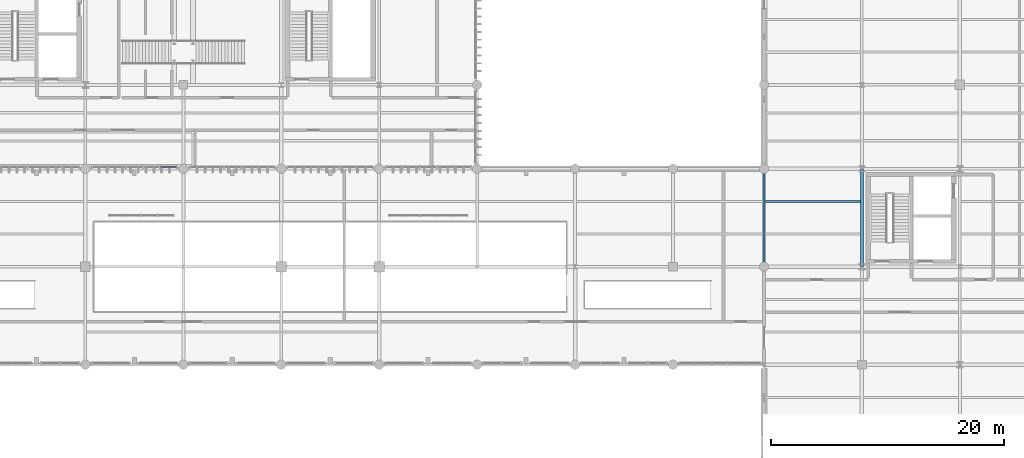
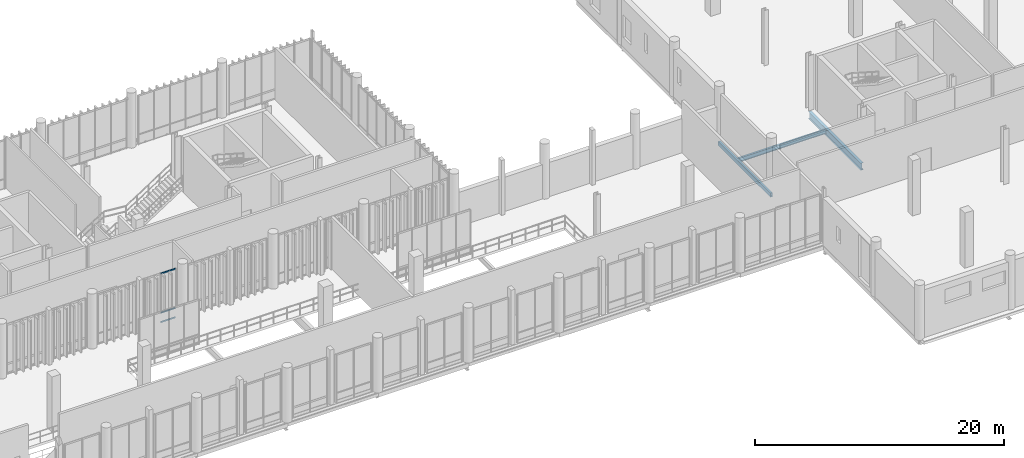
# One storey, part 59 of 128: 3 beams, 3 members, 1 element without a shape of its own.
"""IFC4 building model written with IfcOpenShell, lengths in metres."""

from ifc_helpers import new_model, si_unit, direction, frame, origin_with_axes, origin_2d_with_axis, place, context, subcontext, project, spatial, hollow_rectangle, i_section, extrude, material, material_profile, profile_set, type_object, element, aggregate, save


model = new_model("IFC4")

# Units and contexts
model_context = context("Model", 3, precision=1e-05, world=origin_with_axes(), true_north=direction((0.0, 1.0)))
body_context = subcontext(model_context, "Body", "Model", "MODEL_VIEW")
ifc_project = project(units=[si_unit("LENGTHUNIT", "METRE"), si_unit("AREAUNIT", "SQUARE_METRE"), si_unit("VOLUMEUNIT", "CUBIC_METRE"), si_unit("PLANEANGLEUNIT", "RADIAN"), si_unit("MASSUNIT", "GRAM", prefix="KILO"), si_unit("THERMODYNAMICTEMPERATUREUNIT", "KELVIN")], contexts=[model_context])

# Site, building, storey
site_placement = place(None, origin_with_axes())
site = spatial("IfcSite", under=ifc_project, at=site_placement, CompositionType="ELEMENT")
building_placement = place(site_placement, origin_with_axes())
building = spatial("IfcBuilding", under=site, at=building_placement, Name="Montbau Bow Law Courts", CompositionType="ELEMENT")
storey_placement = place(building_placement, frame((0.0, 0.0, 5.4), z_axis=(0.0, 0.0, 1.0), x_axis=(1.0, 0.0, 0.0)))
storey = spatial("IfcBuildingStorey", under=building, at=storey_placement, Name="L01", CompositionType="ELEMENT", Elevation=5.4)

# Beams
ifc_material_1 = material(Name="Steel CSA G40.21 Grade 350W (350 MPa)", Category="steel")
ifc_material_profile_1 = material_profile(ifc_material_1, i_section(OverallWidth=0.254, OverallDepth=0.688, WebThickness=0.0131, FlangeThickness=0.0211, at=origin_2d_with_axis()), Name="W690X152", Category="Main", Priority=0)
ifc_profile_set_1 = profile_set([ifc_material_profile_1], Name="Steel CSA G40.21 Grade 350W (350 MPa)")
beam_type_1 = type_object("IfcBeamType", Name="B-FLR-04", PredefinedType="BEAM", material=ifc_profile_set_1)
beam_1_placement = place(None, frame((130.2, 30.6, 4.816), z_axis=(0.0, 1.0, 0.0), x_axis=(-1.0, 0.0, 0.0)))
element("IfcBeam", 1, at=beam_1_placement, inside=storey, type_object=beam_type_1, Name="BM-L01-S1491:bm2_1494", PredefinedType="BEAM", context=body_context, shape_type="SweptSolid", body=[
    extrude(i_section(OverallWidth=0.254, OverallDepth=0.688, WebThickness=0.0131, FlangeThickness=0.0211, at=origin_2d_with_axis()), origin_with_axes(), (0.0, 0.0, 1.0), 8.4),
])
ifc_material_profile_2 = material_profile(ifc_material_1, i_section(OverallWidth=0.179, OverallDepth=0.41, WebThickness=0.0088, FlangeThickness=0.0144, at=origin_2d_with_axis()), Name="W410X67", Category="Main", Priority=0)
ifc_profile_set_2 = profile_set([ifc_material_profile_2], Name="Steel CSA G40.21 Grade 350W (350 MPa)")
beam_type_2 = type_object("IfcBeamType", Name="B-JST-02", PredefinedType="JOIST", material=ifc_profile_set_2)
beam_2_placement = place(None, frame((121.88, 36.2, 4.955), z_axis=(1.0, 0.0, 0.0), x_axis=(0.0, 1.0, 0.0)))
element("IfcBeam", 2, at=beam_2_placement, inside=storey, type_object=beam_type_2, Name="JST-L01-S0813:jst2_0813", PredefinedType="JOIST", context=body_context, shape_type="SweptSolid", body=[
    extrude(i_section(OverallWidth=0.179, OverallDepth=0.41, WebThickness=0.0088, FlangeThickness=0.0144, at=origin_2d_with_axis()), origin_with_axes(), (0.0, 0.0, 1.0), 8.217),
])
ifc_material_2 = material(Name="Steel CSA G40.21 Grade 350WT (350 MPa)", Category="steel")
ifc_material_profile_3 = material_profile(ifc_material_2, hollow_rectangle(XDim=0.203, YDim=0.406, WallThickness=0.0127, InnerFilletRadius=0.0254, OuterFilletRadius=0.0127, at=origin_2d_with_axis()), Name="HSS406X203X13", Category="Main", Priority=0)
ifc_profile_set_3 = profile_set([ifc_material_profile_3], Name="Steel CSA G40.21 Grade 350WT (350 MPa)")
beam_type_3 = type_object("IfcBeamType", Name="B-SPN-01", PredefinedType="SPANDREL", material=ifc_profile_set_3)
beam_3_placement = place(None, frame((121.8, 30.6, 4.957), z_axis=(0.0, 1.0, 0.0), x_axis=(-1.0, 0.0, 0.0)))
element("IfcBeam", 3, at=beam_3_placement, inside=storey, type_object=beam_type_3, Name="SPN-L01-S1097:bm2_1100", PredefinedType="SPANDREL", context=body_context, shape_type="SweptSolid", body=[
    extrude(hollow_rectangle(XDim=0.203, YDim=0.406, WallThickness=0.0127, InnerFilletRadius=0.0254, OuterFilletRadius=0.0127, at=origin_2d_with_axis()), origin_with_axes(), (0.0, 0.0, 1.0), 8.4),
])

# Curtain wall, members
ifc_material_3 = material(Name="Thermally Broken Extruded Aluminium AA 6063-T6", Category="aluminium")
curtain_wall_type = type_object("IfcCurtainWallType", Name="CW-CRM-01", PredefinedType="NOTDEFINED", material=ifc_material_3)
curtain_wall_placement = place(None, frame((64.115, 39.14, 5.4), z_axis=(0.0, 0.0, 1.0), x_axis=(1.0, 0.0, 0.0)))
curtain_wall = element("IfcCurtainWall", 4, at=curtain_wall_placement, inside=storey, type_object=curtain_wall_type, Name="CW-L01-141:cw_0141", PredefinedType="NOTDEFINED")
ifc_material_profile_4 = material_profile(ifc_material_3, hollow_rectangle(XDim=0.055, YDim=0.14, WallThickness=0.004, InnerFilletRadius=0.008, OuterFilletRadius=0.004, at=origin_2d_with_axis()), Name="CWT-140X55", Category="Main", Priority=0)
ifc_profile_set_4 = profile_set([ifc_material_profile_4], Name="Thermally Broken Extruded Aluminium AA 6063-T6")
member_type = type_object("IfcMemberType", Name="M-TRN-02", PredefinedType="USERDEFINED", material=ifc_profile_set_4)
member_1_placement = place(None, frame((70.05, 39.14, 5.428), z_axis=(1.0, 0.0, 0.0), x_axis=(0.0, 1.0, 0.0)))
member_1 = element("IfcMember", 5, at=member_1_placement, type_object=member_type, Name="CW-L01-141-T05-1:cw_0141_T05_1", ObjectType="TRANSOM", PredefinedType="USERDEFINED", context=body_context, shape_type="SweptSolid", body=[
    extrude(hollow_rectangle(XDim=0.055, YDim=0.14, WallThickness=0.004, InnerFilletRadius=0.008, OuterFilletRadius=0.004, at=origin_2d_with_axis()), origin_with_axes(), (0.0, 0.0, 1.0), 1.359),
])
member_2_placement = place(None, frame((70.05, 39.14, 6.35), z_axis=(1.0, 0.0, 0.0), x_axis=(0.0, 1.0, 0.0)))
member_2 = element("IfcMember", 6, at=member_2_placement, type_object=member_type, Name="CW-L01-141-T05-2:cw_0141_T05_2", ObjectType="TRANSOM", PredefinedType="USERDEFINED", context=body_context, shape_type="SweptSolid", body=[
    extrude(hollow_rectangle(XDim=0.055, YDim=0.14, WallThickness=0.004, InnerFilletRadius=0.008, OuterFilletRadius=0.004, at=origin_2d_with_axis()), origin_with_axes(), (0.0, 0.0, 1.0), 1.359),
])
member_3_placement = place(None, frame((70.05, 39.14, 10.193), z_axis=(1.0, 0.0, 0.0), x_axis=(0.0, 1.0, 0.0)))
member_3 = element("IfcMember", 7, at=member_3_placement, type_object=member_type, Name="CW-L01-141-T05-3:cw_0141_T05_3", ObjectType="TRANSOM", PredefinedType="USERDEFINED", context=body_context, shape_type="SweptSolid", body=[
    extrude(hollow_rectangle(XDim=0.055, YDim=0.14, WallThickness=0.004, InnerFilletRadius=0.008, OuterFilletRadius=0.004, at=origin_2d_with_axis()), origin_with_axes(), (0.0, 0.0, 1.0), 1.359),
])
aggregate(curtain_wall, [member_1, member_2, member_3])

save(model, "model.ifc")
